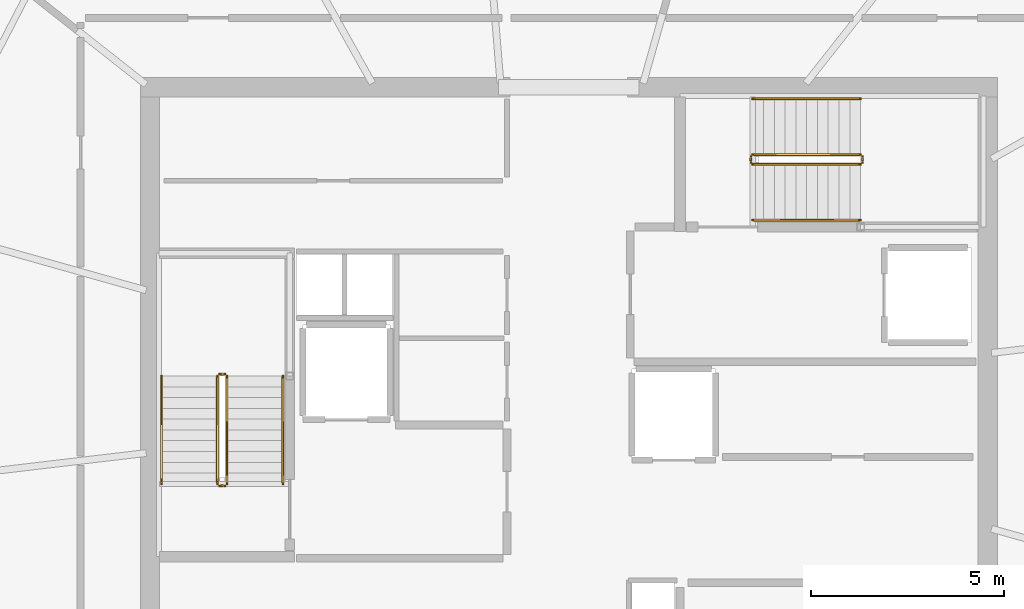
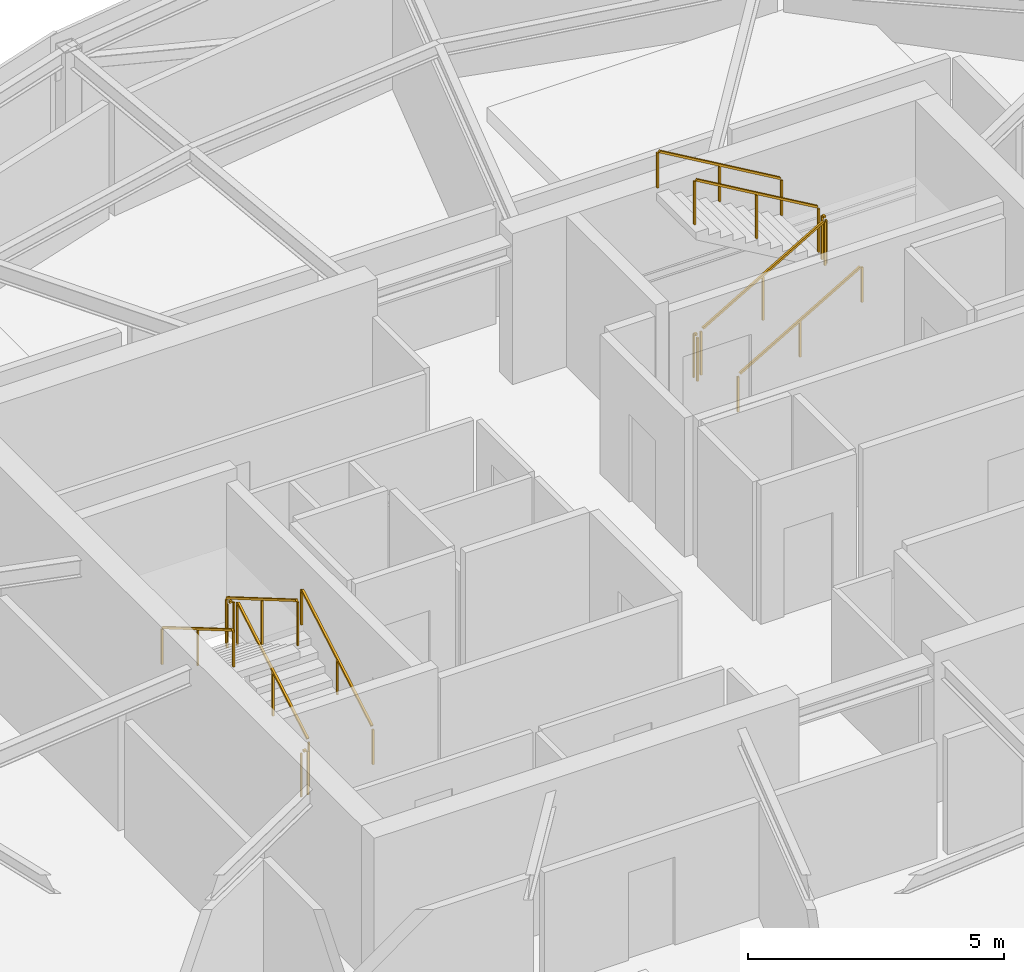
# One storey, part 10 of 10: 12 railings.
"""IFC4 building model written with IfcOpenShell, lengths in metres."""

from ifc_helpers import new_model, si_unit, direction, frame, origin, origin_2d, place, context, subcontext, project, spatial, rectangle, extrude, material, type_object, element, save


model = new_model("IFC4")

# Units and contexts
model_context = context("Model", 3, precision=1e-05, world=origin(), true_north=direction((0.0, 1.0)))
body_context = subcontext(model_context, "Body", "Model", "MODEL_VIEW")
ifc_project = project(units=[si_unit("LENGTHUNIT", "METRE"), si_unit("AREAUNIT", "SQUARE_METRE"), si_unit("VOLUMEUNIT", "CUBIC_METRE"), si_unit("PLANEANGLEUNIT", "RADIAN"), si_unit("MASSUNIT", "GRAM", prefix="KILO")], contexts=[model_context])

# Site, building, storey
site_placement = place(None, origin())
site = spatial("IfcSite", under=ifc_project, at=site_placement, CompositionType="ELEMENT")
building_placement = place(site_placement, origin())
building = spatial("IfcBuilding", under=site, at=building_placement, Name="Kazma Halo Residences", CompositionType="ELEMENT")
storey_placement = place(building_placement, frame((0.0, 0.0, 356.0)))
storey = spatial("IfcBuildingStorey", under=building, at=storey_placement, Name="L89", CompositionType="ELEMENT", Elevation=356.0)

# Railings
ifc_material_1 = material(Name="Painted Steel S355", Category="steel")
railing_type_1 = type_object("IfcRailingType", Name="RLG-STAIR-GRD-1100", PredefinedType="GUARDRAIL", material=ifc_material_1)
railing_1_placement = place(storey_placement, frame((39.550048828125, 39.949951171875, 0.16357421875)))
element("IfcRailing", 1, at=railing_1_placement, inside=storey, type_object=railing_type_1, Name="L89 ST-01 stair guard 1", PredefinedType="GUARDRAIL", context=body_context, shape_type="SweptSolid", body=[
    extrude(rectangle(XDim=0.050048828125, YDim=0.050048828125, at=origin_2d()), frame((0.0, 0.03662109375, 1.096435546875), z_axis=(0.0, 0.863360870873, 0.504586966384), x_axis=(-1.0, 0.0, 0.0)), (0.0, 0.0, 1.0), 3.158203125),
    extrude(rectangle(XDim=0.0400390625, YDim=0.0400390625, at=origin_2d()), origin(), (0.0, 0.0, 1.0), 1.0380859375),
    extrude(rectangle(XDim=0.0400390625, YDim=0.0400390625, at=origin_2d()), frame((0.0, 1.39990234375, 0.818359375)), (0.0, 0.0, 1.0), 1.0380859375),
    extrude(rectangle(XDim=0.0400390625, YDim=0.0400390625, at=origin_2d()), frame((0.0, 2.800048828125, 1.636474609375)), (0.0, 0.0, 1.0), 1.0380859375),
])
railing_2_placement = place(storey_placement, frame((39.5, 42.800048828125, 1.800048828125)))
element("IfcRailing", 2, at=railing_2_placement, inside=storey, type_object=railing_type_1, Name="L89 ST-01 stair guard 2", PredefinedType="GUARDRAIL", context=body_context, shape_type="SweptSolid", body=[
    extrude(rectangle(XDim=0.050048828125, YDim=0.050048828125, at=origin_2d()), frame((-0.04248046875, 0.0, 1.0751953125), z_axis=(-1.0, 0.0, 0.0), x_axis=(0.0, -1.0, 0.0)), (0.0, 0.0, 1.0), 0.06494140625),
    extrude(rectangle(XDim=0.0400390625, YDim=0.0400390625, at=origin_2d()), origin(), (0.0, 0.0, 1.0), 1.0380859375),
    extrude(rectangle(XDim=0.0400390625, YDim=0.0400390625, at=origin_2d()), frame((-0.14990234375, 0.0, 0.0)), (0.0, 0.0, 1.0), 1.0380859375),
])
railing_3_placement = place(storey_placement, frame((39.300048828125, 42.75, 1.963623046875)))
element("IfcRailing", 3, at=railing_3_placement, inside=storey, type_object=railing_type_1, Name="L89 ST-01 stair guard 3", PredefinedType="GUARDRAIL", context=body_context, shape_type="SweptSolid", body=[
    extrude(rectangle(XDim=0.050048828125, YDim=0.050048828125, at=origin_2d()), frame((0.0, -0.03662109375, 1.096435546875), z_axis=(0.0, -0.863360870873, 0.504586966384), x_axis=(1.0, 0.0, 0.0)), (0.0, 0.0, 1.0), 3.158203125),
    extrude(rectangle(XDim=0.0400390625, YDim=0.0400390625, at=origin_2d()), origin(), (0.0, 0.0, 1.0), 1.0380859375),
    extrude(rectangle(XDim=0.0400390625, YDim=0.0400390625, at=origin_2d()), frame((0.0, -1.39990234375, 0.818359375)), (0.0, 0.0, 1.0), 1.0380859375),
    extrude(rectangle(XDim=0.0400390625, YDim=0.0400390625, at=origin_2d()), frame((0.0, -2.800048828125, 1.636474609375)), (0.0, 0.0, 1.0), 1.0380859375),
])
railing_4_placement = place(storey_placement, frame((39.5, 39.89990234375, 0.0)))
element("IfcRailing", 4, at=railing_4_placement, inside=storey, type_object=railing_type_1, Name="L89 ST-01 stair guard 4", PredefinedType="GUARDRAIL", context=body_context, shape_type="SweptSolid", body=[
    extrude(rectangle(XDim=0.050048828125, YDim=0.050048828125, at=origin_2d()), frame((-0.04248046875, 0.0, 1.0751953125), z_axis=(-1.0, 0.0, 0.0), x_axis=(0.0, -1.0, 0.0)), (0.0, 0.0, 1.0), 0.06494140625),
    extrude(rectangle(XDim=0.0400390625, YDim=0.0400390625, at=origin_2d()), origin(), (0.0, 0.0, 1.0), 1.0380859375),
    extrude(rectangle(XDim=0.0400390625, YDim=0.0400390625, at=origin_2d()), frame((-0.14990234375, 0.0, 0.0)), (0.0, 0.0, 1.0), 1.0380859375),
])
railing_5_placement = place(storey_placement, frame((53.199951171875, 48.25, 0.16357421875)))
element("IfcRailing", 5, at=railing_5_placement, inside=storey, type_object=railing_type_1, Name="L89 ST-02 stair guard 1", PredefinedType="GUARDRAIL", context=body_context, shape_type="SweptSolid", body=[
    extrude(rectangle(XDim=0.050048828125, YDim=0.050048828125, at=origin_2d()), frame((0.03662109375, 0.0, 1.096435546875), z_axis=(0.863360870873, 0.0, 0.504586966384), x_axis=(0.0, 1.0, 0.0)), (0.0, 0.0, 1.0), 3.158203125),
    extrude(rectangle(XDim=0.0400390625, YDim=0.0400390625, at=origin_2d()), origin(), (0.0, 0.0, 1.0), 1.0380859375),
    extrude(rectangle(XDim=0.0400390625, YDim=0.0400390625, at=origin_2d()), frame((1.39990234375, 0.0, 0.818359375)), (0.0, 0.0, 1.0), 1.0380859375),
    extrude(rectangle(XDim=0.0400390625, YDim=0.0400390625, at=origin_2d()), frame((2.800048828125, 0.0, 1.636474609375)), (0.0, 0.0, 1.0), 1.0380859375),
])
railing_6_placement = place(storey_placement, frame((56.050048828125, 48.300048828125, 1.800048828125)))
element("IfcRailing", 6, at=railing_6_placement, inside=storey, type_object=railing_type_1, Name="L89 ST-02 stair guard 2", PredefinedType="GUARDRAIL", context=body_context, shape_type="SweptSolid", body=[
    extrude(rectangle(XDim=0.050048828125, YDim=0.050048828125, at=origin_2d()), frame((0.0, 0.04248046875, 1.0751953125), z_axis=(0.0, 1.0, 0.0), x_axis=(-1.0, 0.0, 0.0)), (0.0, 0.0, 1.0), 0.06494140625),
    extrude(rectangle(XDim=0.0400390625, YDim=0.0400390625, at=origin_2d()), origin(), (0.0, 0.0, 1.0), 1.0380859375),
    extrude(rectangle(XDim=0.0400390625, YDim=0.0400390625, at=origin_2d()), frame((0.0, 0.14990234375, 0.0)), (0.0, 0.0, 1.0), 1.0380859375),
])
railing_7_placement = place(storey_placement, frame((56.0, 48.5, 1.963623046875)))
element("IfcRailing", 7, at=railing_7_placement, inside=storey, type_object=railing_type_1, Name="L89 ST-02 stair guard 3", PredefinedType="GUARDRAIL", context=body_context, shape_type="SweptSolid", body=[
    extrude(rectangle(XDim=0.050048828125, YDim=0.050048828125, at=origin_2d()), frame((-0.03662109375, 0.0, 1.096435546875), z_axis=(-0.863360870873, 0.0, 0.504586966384), x_axis=(0.0, -1.0, 0.0)), (0.0, 0.0, 1.0), 3.158203125),
    extrude(rectangle(XDim=0.0400390625, YDim=0.0400390625, at=origin_2d()), origin(), (0.0, 0.0, 1.0), 1.0380859375),
    extrude(rectangle(XDim=0.0400390625, YDim=0.0400390625, at=origin_2d()), frame((-1.39990234375, 0.0, 0.818359375)), (0.0, 0.0, 1.0), 1.0380859375),
    extrude(rectangle(XDim=0.0400390625, YDim=0.0400390625, at=origin_2d()), frame((-2.800048828125, 0.0, 1.636474609375)), (0.0, 0.0, 1.0), 1.0380859375),
])
railing_8_placement = place(storey_placement, frame((53.14990234375, 48.300048828125, 0.0)))
element("IfcRailing", 8, at=railing_8_placement, inside=storey, type_object=railing_type_1, Name="L89 ST-02 stair guard 4", PredefinedType="GUARDRAIL", context=body_context, shape_type="SweptSolid", body=[
    extrude(rectangle(XDim=0.050048828125, YDim=0.050048828125, at=origin_2d()), frame((0.0, 0.04248046875, 1.0751953125), z_axis=(0.0, 1.0, 0.0), x_axis=(-1.0, 0.0, 0.0)), (0.0, 0.0, 1.0), 0.06494140625),
    extrude(rectangle(XDim=0.0400390625, YDim=0.0400390625, at=origin_2d()), origin(), (0.0, 0.0, 1.0), 1.0380859375),
    extrude(rectangle(XDim=0.0400390625, YDim=0.0400390625, at=origin_2d()), frame((0.0, 0.14990234375, 0.0)), (0.0, 0.0, 1.0), 1.0380859375),
])
ifc_material_2 = material(Name="Brushed Stainless Steel", Category="steel")
railing_type_2 = type_object("IfcRailingType", Name="RLG-STAIR-HND-900", PredefinedType="HANDRAIL", material=ifc_material_2)
railing_9_placement = place(storey_placement, frame((41.0, 39.949951171875, 0.16357421875)))
element("IfcRailing", 9, at=railing_9_placement, inside=storey, type_object=railing_type_2, Name="L89 ST-01 stair handrail 1", PredefinedType="HANDRAIL", context=body_context, shape_type="SweptSolid", body=[
    extrude(rectangle(XDim=0.050048828125, YDim=0.050048828125, at=origin_2d()), frame((0.0, 0.03662109375, 0.896240234375), z_axis=(0.0, 0.863360870873, 0.504586966384), x_axis=(-1.0, 0.0, 0.0)), (0.0, 0.0, 1.0), 3.158203125),
    extrude(rectangle(XDim=0.0400390625, YDim=0.0400390625, at=origin_2d()), origin(), (0.0, 0.0, 1.0), 0.837890625),
    extrude(rectangle(XDim=0.0400390625, YDim=0.0400390625, at=origin_2d()), frame((0.0, 1.39990234375, 0.818359375)), (0.0, 0.0, 1.0), 0.837890625),
    extrude(rectangle(XDim=0.0400390625, YDim=0.0400390625, at=origin_2d()), frame((0.0, 2.800048828125, 1.636474609375)), (0.0, 0.0, 1.0), 0.837890625),
])
railing_10_placement = place(storey_placement, frame((37.85009765625, 42.75, 1.963623046875)))
element("IfcRailing", 10, at=railing_10_placement, inside=storey, type_object=railing_type_2, Name="L89 ST-01 stair handrail 2", PredefinedType="HANDRAIL", context=body_context, shape_type="SweptSolid", body=[
    extrude(rectangle(XDim=0.050048828125, YDim=0.050048828125, at=origin_2d()), frame((0.0, -0.03662109375, 0.896240234375), z_axis=(0.0, -0.863360870873, 0.504586966384), x_axis=(1.0, 0.0, 0.0)), (0.0, 0.0, 1.0), 3.158203125),
    extrude(rectangle(XDim=0.0400390625, YDim=0.0400390625, at=origin_2d()), origin(), (0.0, 0.0, 1.0), 0.837890625),
    extrude(rectangle(XDim=0.0400390625, YDim=0.0400390625, at=origin_2d()), frame((0.0, -1.39990234375, 0.818359375)), (0.0, 0.0, 1.0), 0.837890625),
    extrude(rectangle(XDim=0.0400390625, YDim=0.0400390625, at=origin_2d()), frame((0.0, -2.800048828125, 1.636474609375)), (0.0, 0.0, 1.0), 0.837890625),
])
railing_11_placement = place(storey_placement, frame((53.199951171875, 46.800048828125, 0.16357421875)))
element("IfcRailing", 11, at=railing_11_placement, inside=storey, type_object=railing_type_2, Name="L89 ST-02 stair handrail 1", PredefinedType="HANDRAIL", context=body_context, shape_type="SweptSolid", body=[
    extrude(rectangle(XDim=0.050048828125, YDim=0.050048828125, at=origin_2d()), frame((0.03662109375, 0.0, 0.896240234375), z_axis=(0.863360870873, 0.0, 0.504586966384), x_axis=(0.0, 1.0, 0.0)), (0.0, 0.0, 1.0), 3.158203125),
    extrude(rectangle(XDim=0.0400390625, YDim=0.0400390625, at=origin_2d()), origin(), (0.0, 0.0, 1.0), 0.837890625),
    extrude(rectangle(XDim=0.0400390625, YDim=0.0400390625, at=origin_2d()), frame((1.39990234375, 0.0, 0.818359375)), (0.0, 0.0, 1.0), 0.837890625),
    extrude(rectangle(XDim=0.0400390625, YDim=0.0400390625, at=origin_2d()), frame((2.800048828125, 0.0, 1.636474609375)), (0.0, 0.0, 1.0), 0.837890625),
])
railing_12_placement = place(storey_placement, frame((56.0, 49.949951171875, 1.963623046875)))
element("IfcRailing", 12, at=railing_12_placement, inside=storey, type_object=railing_type_2, Name="L89 ST-02 stair handrail 2", PredefinedType="HANDRAIL", context=body_context, shape_type="SweptSolid", body=[
    extrude(rectangle(XDim=0.050048828125, YDim=0.050048828125, at=origin_2d()), frame((-0.03662109375, 0.0, 0.896240234375), z_axis=(-0.863360870873, 0.0, 0.504586966384), x_axis=(0.0, -1.0, 0.0)), (0.0, 0.0, 1.0), 3.158203125),
    extrude(rectangle(XDim=0.0400390625, YDim=0.0400390625, at=origin_2d()), origin(), (0.0, 0.0, 1.0), 0.837890625),
    extrude(rectangle(XDim=0.0400390625, YDim=0.0400390625, at=origin_2d()), frame((-1.39990234375, 0.0, 0.818359375)), (0.0, 0.0, 1.0), 0.837890625),
    extrude(rectangle(XDim=0.0400390625, YDim=0.0400390625, at=origin_2d()), frame((-2.800048828125, 0.0, 1.636474609375)), (0.0, 0.0, 1.0), 0.837890625),
])

save(model, "model.ifc")
